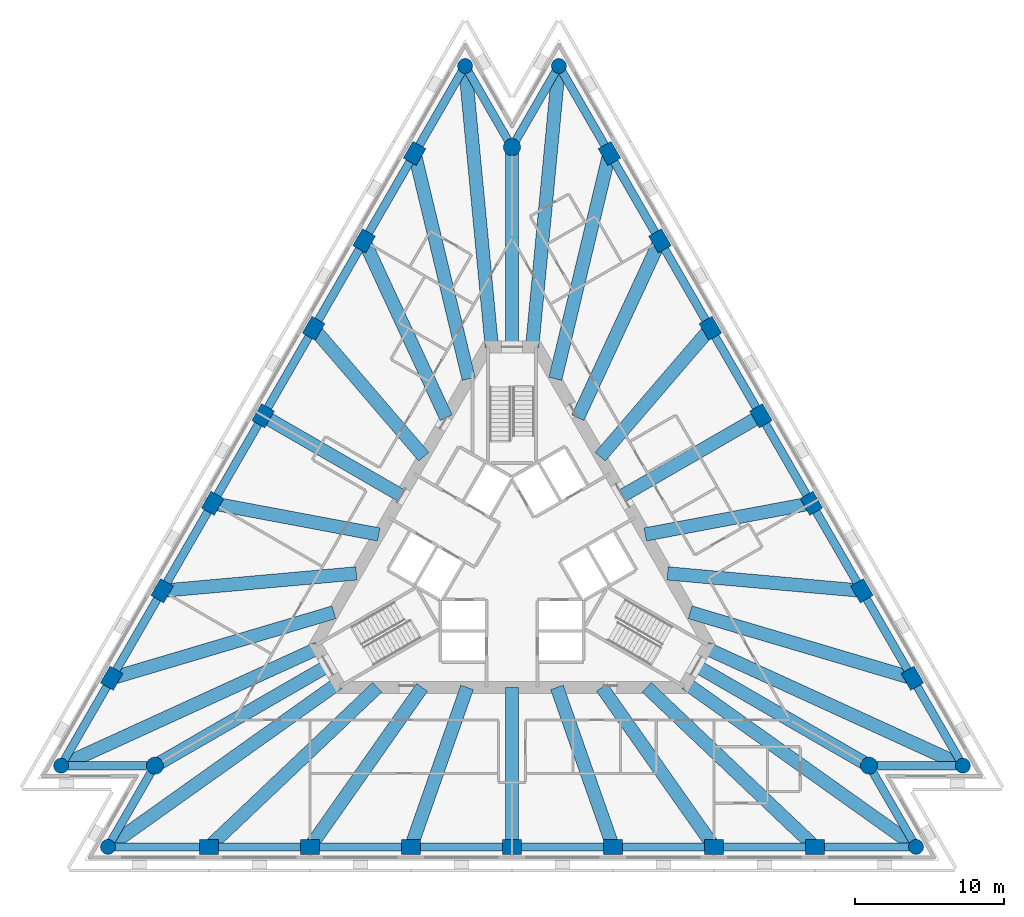
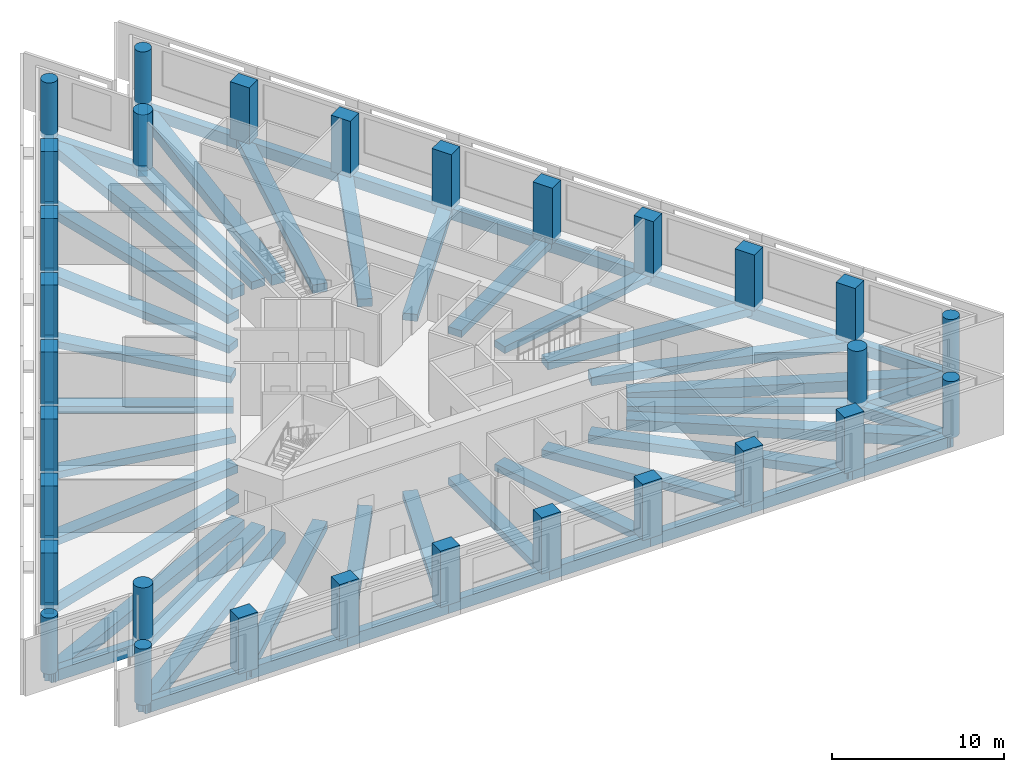
# One storey, part 1 of 9: 60 beams, 30 columns.
"""IFC4 building model written with IfcOpenShell, lengths in metres."""

import ifcopenshell
import ifcopenshell.guid

model = None  # the IFC model being written
_history = None  # IfcOwnerHistory: only IFC2X3 demands one
_inside = {}  # id of a spatial element -> (the spatial element, [elements in it])
_under = {}  # id of a project, library or spatial element -> (it, [spatial elements below it])
_declared = {}  # id of a project -> (the project, [libraries it declares])
_typed = {}  # id of a type object -> (the type object, [elements of that type])
_made_of = {}  # id of a material, layer set ... -> (it, [elements and type objects made of it])


def new_model(schema):
    """Start an empty IFC model of exactly this schema.

    Asked for "IFC4X3", IfcOpenShell would pick the latest addendum, in which some entities
    have other attributes; the version numbers below select the first issue.
    IFC2X3 requires an IfcOwnerHistory on every rooted entity: one is made here for all.
    """
    global model, _history
    if schema == "IFC4X3":
        model = ifcopenshell.file(schema_version=(4, 3, 0, 0))
    else:
        model = ifcopenshell.file(schema=schema)
    _inside.clear()
    _under.clear()
    _declared.clear()
    _typed.clear()
    _made_of.clear()
    _history = None
    if model.schema == "IFC2X3":
        org = make("IfcOrganization", Name="unknown")
        user = make(
            "IfcPersonAndOrganization",
            ThePerson=make("IfcPerson", FamilyName="unknown"),
            TheOrganization=org,
        )
        app = make(
            "IfcApplication",
            ApplicationDeveloper=org,
            Version="unknown",
            ApplicationFullName="unknown",
            ApplicationIdentifier="unknown",
        )
        _history = make(
            "IfcOwnerHistory",
            OwningUser=user,
            OwningApplication=app,
            ChangeAction="ADDED",
            CreationDate=0,
        )
    return model


def make(cls, **values):
    """One entity of the class cls with the attributes given. An attribute that is None is left unset."""
    return model.create_entity(
        cls, **{name: value for name, value in values.items() if value is not None}
    )


def rooted(cls, **values):
    """An entity with a GlobalId (a new one), such as an element, a storey or a relation."""
    return make(cls, GlobalId=ifcopenshell.guid.new(), OwnerHistory=_history, **values)


def si_unit(unit_type, name, prefix=None):
    """IfcSIUnit, for example si_unit("LENGTHUNIT", "METRE", prefix="MILLI")."""
    return make("IfcSIUnit", UnitType=unit_type, Prefix=prefix, Name=name)


def assignment(units):
    """IfcUnitAssignment: the units of a project."""
    return None if units is None else make("IfcUnitAssignment", Units=units)


def point(xyz):
    """IfcCartesianPoint."""
    return None if xyz is None else make("IfcCartesianPoint", Coordinates=xyz)


def direction(xyz):
    """IfcDirection."""
    return None if xyz is None else make("IfcDirection", DirectionRatios=xyz)


def frame(location, z_axis=None, x_axis=None):
    """IfcAxis2Placement3D, a coordinate frame: its origin and axes. An axis left out is left unset."""
    return make(
        "IfcAxis2Placement3D",
        Location=point(location),
        Axis=direction(z_axis),
        RefDirection=direction(x_axis),
    )


def frame_2d(location, x_axis=None):
    """IfcAxis2Placement2D, a coordinate frame in the plane: its origin and x axis."""
    return make(
        "IfcAxis2Placement2D", Location=point(location), RefDirection=direction(x_axis)
    )


def origin():
    """The frame at (0, 0, 0) with its axes left unset."""
    return frame((0.0, 0.0, 0.0))


def origin_2d():
    """The frame at (0, 0) in the plane with its x axis left unset."""
    return frame_2d((0.0, 0.0))


def place(relative_to, where):
    """IfcLocalPlacement: puts the frame where relative to a parent placement (None: the world)."""
    return make(
        "IfcLocalPlacement", PlacementRelTo=relative_to, RelativePlacement=where
    )


def context(
    kind, dimensions, precision=None, world=None, true_north=None, identifier=None
):
    """IfcGeometricRepresentationContext, for example the 3D "Model" context."""
    return make(
        "IfcGeometricRepresentationContext",
        ContextIdentifier=identifier,
        ContextType=kind,
        CoordinateSpaceDimension=dimensions,
        Precision=precision,
        WorldCoordinateSystem=world,
        TrueNorth=true_north,
    )


def subcontext(parent, identifier, kind, view, scale=None):
    """IfcGeometricRepresentationSubContext, for example "Body" below "Model"."""
    return make(
        "IfcGeometricRepresentationSubContext",
        ContextIdentifier=identifier,
        ContextType=kind,
        ParentContext=parent,
        TargetScale=scale,
        TargetView=view,
    )


def project(units=None, contexts=None):
    """IfcProject with its units and contexts."""
    return rooted(
        "IfcProject",
        Name="project",
        RepresentationContexts=contexts,
        UnitsInContext=assignment(units),
    )


def spatial(cls, under=None, at=None, **own):
    """A site, building, storey or space (cls), placed at a placement, below another one or the project."""
    s = rooted(cls, ObjectPlacement=at, **own)
    if under is not None:
        _under.setdefault(under.id(), (under, []))[1].append(s)
    return s


def profile(cls, at=None, kind="AREA", **sizes):
    """A parametric profile (cls). Its sizes go by their IFC names, for example OverallWidth=200.0."""
    return make(cls, ProfileType=kind, Position=at, **sizes)


def rectangle(**sizes):
    """IfcRectangleProfileDef."""
    return profile("IfcRectangleProfileDef", **sizes)


def circle(**sizes):
    """IfcCircleProfileDef."""
    return profile("IfcCircleProfileDef", **sizes)


def extrude(swept, where, along, depth):
    """IfcExtrudedAreaSolid: the profile swept, set in the frame where, extruded along a direction by depth."""
    return make(
        "IfcExtrudedAreaSolid",
        SweptArea=swept,
        Position=where,
        ExtrudedDirection=direction(along),
        Depth=depth,
    )


def shape(context_of_items, identifier, shape_type, items):
    """IfcShapeRepresentation: the items that make up one representation, for example the "Body"."""
    return make(
        "IfcShapeRepresentation",
        ContextOfItems=context_of_items,
        RepresentationIdentifier=identifier,
        RepresentationType=shape_type,
        Items=items,
    )


def material(Name=None, Category=None):
    """IfcMaterial."""
    return make("IfcMaterial", Name=Name, Category=Category)


def material_profile(
    of_material, cross_section, Name=None, Category=None, Priority=None
):
    """IfcMaterialProfile: a cross section and its material."""
    return make(
        "IfcMaterialProfile",
        Name=Name,
        Material=of_material,
        Profile=cross_section,
        Priority=Priority,
        Category=Category,
    )


def profile_set(profiles, Name=None, composite=None):
    """IfcMaterialProfileSet."""
    return make(
        "IfcMaterialProfileSet",
        Name=Name,
        MaterialProfiles=profiles,
        CompositeProfile=composite,
    )


def made_of(thing, what):
    """Note that an element or type object is made of a material, layer set ...; save() writes the relation."""
    if what is not None:
        _made_of.setdefault(what.id(), (what, []))[1].append(thing)
    return thing


def type_object(cls, material=None, **own):
    """A type object (cls), such as IfcWallType, which elements share."""
    return made_of(rooted(cls, **own), material)


def element(
    cls,
    number,
    at=None,
    inside=None,
    cuts=None,
    type_object=None,
    material=None,
    context=None,
    identifier="Body",
    shape_type=None,
    held_by="IfcProductDefinitionShape",
    body=None,
    shapes=None,
    **own,
):
    """One element of the class cls, such as IfcWall. Its Tag is "e" and its number.

    at: its placement. inside: the storey or other place that contains it. cuts: it is an
    opening in that element (IfcRelVoidsElement). A single representation is given by context,
    identifier, shape_type and body (its items); several are given by shapes. held_by: the class
    of the entity that holds the representations. save() writes the other relations.
    """
    e = rooted(cls, Tag="e%d" % number, ObjectPlacement=at, **own)
    if body is not None:
        shapes = [shape(context, identifier, shape_type, body)]
    if shapes is not None:
        e.Representation = make(held_by, Representations=shapes)
    if inside is not None:
        _inside.setdefault(inside.id(), (inside, []))[1].append(e)
    if cuts is not None:
        rooted(
            "IfcRelVoidsElement", RelatingBuildingElement=cuts, RelatedOpeningElement=e
        )
    if type_object is not None:
        _typed.setdefault(type_object.id(), (type_object, []))[1].append(e)
    return made_of(e, material)


def aggregate(whole, parts):
    """IfcRelAggregates: a whole, such as a stair, and the parts it consists of."""
    return rooted("IfcRelAggregates", RelatingObject=whole, RelatedObjects=parts)


def save(model, path):
    """Write the relations noted so far, then the file.

    IfcRelAggregates (storeys below a building ...), IfcRelContainedInSpatialStructure (elements
    in a storey), IfcRelDefinesByType, IfcRelAssociatesMaterial and IfcRelDeclares: one each for
    every whole, place, type object, material and project.
    """
    for whole, parts in _under.values():
        aggregate(whole, parts)
    for where, things in _inside.values():
        rooted(
            "IfcRelContainedInSpatialStructure",
            RelatedElements=things,
            RelatingStructure=where,
        )
    for kind, things in _typed.values():
        rooted("IfcRelDefinesByType", RelatedObjects=things, RelatingType=kind)
    for what, things in _made_of.values():
        rooted("IfcRelAssociatesMaterial", RelatedObjects=things, RelatingMaterial=what)
    for by, libraries in _declared.values():
        rooted("IfcRelDeclares", RelatingContext=by, RelatedDefinitions=libraries)
    model.write(path)


model = new_model("IFC4")

# Units and contexts
model_context = context("Model", 3, precision=1e-05, world=origin(), true_north=direction((0.0, 1.0)))
body_context = subcontext(model_context, "Body", "Model", "MODEL_VIEW")
ifc_project = project(units=[si_unit("LENGTHUNIT", "METRE"), si_unit("AREAUNIT", "SQUARE_METRE"), si_unit("VOLUMEUNIT", "CUBIC_METRE"), si_unit("PLANEANGLEUNIT", "RADIAN"), si_unit("MASSUNIT", "GRAM", prefix="KILO")], contexts=[model_context])

# Site, building, storey
site_placement = place(None, origin())
site = spatial("IfcSite", under=ifc_project, at=site_placement, CompositionType="ELEMENT")
building_placement = place(site_placement, origin())
building = spatial("IfcBuilding", under=site, at=building_placement, Name="Triada Interchange Tower", CompositionType="ELEMENT")
storey_placement = place(building_placement, frame((0.0, 0.0, 132.300048828125)))
storey = spatial("IfcBuildingStorey", under=building, at=storey_placement, Name="L30", CompositionType="ELEMENT", Elevation=132.300048828125)

# Columns
ifc_material_1 = material(Name="Concrete C60/75", Category="concrete")
ifc_material_profile_1 = material_profile(ifc_material_1, rectangle(XDim=1.300048828125, YDim=1.0, at=origin_2d()), Name="RC 1300x1000")
ifc_profile_set_1 = profile_set([ifc_material_profile_1], Name="Concrete C60/75")
column_type_1 = type_object("IfcColumnType", Name="Column B face RC 1300x1000", PredefinedType="COLUMN", material=ifc_profile_set_1)
for number, where, z_axis, x_axis, name in (
    (1, (-6.551025390625, 27.31689453125, -0.300048828125), (0.0, 0.0, 1.0), (0.5, 0.866025403784, 0.0), "Column CB02 L30"),
    (2, (-9.947998046875, 21.43408203125, -0.300048828125), (0.0, 0.0, 1.0), (0.5, 0.866025403784, 0.0), "Column CB03 L30"),
    (3, (-13.344970703125, 15.550048828125, -0.300048828125), (0.0, 0.0, 1.0), (0.5, 0.866025403784, 0.0), "Column CB04 L30"),
    (4, (-16.741943359375, 9.666015625, -0.300048828125), (0.0, 0.0, 1.0), (0.5, 0.866025403784, 0.0), "Column CB05 L30"),
    (5, (-20.138916015625, 3.781982421875, -0.300048828125), (0.0, 0.0, 1.0), (0.5, 0.866025403784, 0.0), "Column CB06 L30"),
    (6, (-23.535888671875, -2.10205078125, -0.300048828125), (0.0, 0.0, 1.0), (0.5, 0.866025403784, 0.0), "Column CB07 L30"),
    (7, (-26.93310546875, -7.985107421875, -0.300048828125), (0.0, 0.0, 1.0), (0.5, 0.866025403784, 0.0), "Column CB08 L30"),
    (8, (-20.382080078125, -19.33203125, -0.300048828125), (0.0, 0.0, 1.0), (1.0, 0.0, 0.0), "Column CB11 L30"),
    (9, (-13.587890625, -19.33203125, -0.300048828125), (0.0, 0.0, 1.0), (1.0, 0.0, 0.0), "Column CB12 L30"),
    (10, (-6.7939453125, -19.33203125, -0.300048828125), (0.0, 0.0, 1.0), (1.0, 0.0, 0.0), "Column CB13 L30"),
    (11, (0.0, -19.33203125, -0.300048828125), (0.0, 0.0, 1.0), (1.0, 0.0, 0.0), "Column CB14 L30"),
    (12, (6.7939453125, -19.33203125, -0.300048828125), (0.0, 0.0, 1.0), (1.0, 0.0, 0.0), "Column CB15 L30"),
    (13, (13.587890625, -19.33203125, -0.300048828125), (0.0, 0.0, 1.0), (1.0, 0.0, 0.0), "Column CB16 L30"),
    (14, (20.382080078125, -19.33203125, -0.300048828125), (0.0, 0.0, 1.0), (1.0, 0.0, 0.0), "Column CB17 L30"),
    (15, (26.93310546875, -7.985107421875, -0.300048828125), (0.0, 0.0, 1.0), (-0.5, 0.866025403784, 0.0), "Column CB20 L30"),
    (16, (23.535888671875, -2.10107421875, -0.300048828125), (0.0, 0.0, 1.0), (-0.5, 0.866025403784, 0.0), "Column CB21 L30"),
    (17, (20.138916015625, 3.781982421875, -0.300048828125), (0.0, 0.0, 1.0), (-0.5, 0.866025403784, 0.0), "Column CB22 L30"),
    (18, (16.741943359375, 9.666015625, -0.300048828125), (0.0, 0.0, 1.0), (-0.5, 0.866025403784, 0.0), "Column CB23 L30"),
    (19, (13.344970703125, 15.550048828125, -0.300048828125), (0.0, 0.0, 1.0), (-0.5, 0.866025403784, 0.0), "Column CB24 L30"),
    (20, (9.947998046875, 21.43408203125, -0.300048828125), (0.0, 0.0, 1.0), (-0.5, 0.866025403784, 0.0), "Column CB25 L30"),
    (21, (6.551025390625, 27.31689453125, -0.300048828125), (0.0, 0.0, 1.0), (-0.5, 0.866025403784, 0.0), "Column CB26 L30"),
):
    element("IfcColumn", number, at=place(storey_placement, frame(where, z_axis=z_axis, x_axis=x_axis)), inside=storey, type_object=column_type_1, Name=name, PredefinedType="COLUMN", context=body_context, shape_type="SweptSolid", body=[
        extrude(rectangle(XDim=1.300048828125, YDim=1.0, at=origin_2d()), origin(), (0.0, 0.0, 1.0), 4.0),
    ])
ifc_material_profile_2 = material_profile(ifc_material_1, circle(Radius=0.5, at=origin_2d()), Name="RC D1000")
ifc_profile_set_2 = profile_set([ifc_material_profile_2], Name="Concrete C60/75")
column_type_2 = type_object("IfcColumnType", Name="End column B RC D1000", PredefinedType="COLUMN", material=ifc_profile_set_2)
for number, where, z_axis, x_axis, name in (
    (22, (-3.154052734375, 33.200927734375, -0.300048828125), (0.0, 0.0, 1.0), (0.5, 0.866025403784, 0.0), "Column CB01 L30"),
    (23, (-30.330078125, -13.868896484375, -0.300048828125), (0.0, 0.0, 1.0), (0.5, 0.866025403784, 0.0), "Column CB09 L30"),
    (24, (-27.176025390625, -19.33203125, -0.300048828125), (0.0, 0.0, 1.0), (1.0, 0.0, 0.0), "Column CB10 L30"),
    (25, (27.176025390625, -19.33203125, -0.300048828125), (0.0, 0.0, 1.0), (1.0, 0.0, 0.0), "Column CB18 L30"),
    (26, (30.330078125, -13.868896484375, -0.300048828125), (0.0, 0.0, 1.0), (-0.5, 0.866025403784, 0.0), "Column CB19 L30"),
    (27, (3.154052734375, 33.200927734375, -0.300048828125), (0.0, 0.0, 1.0), (-0.5, 0.866025403784, 0.0), "Column CB27 L30"),
):
    element("IfcColumn", number, at=place(storey_placement, frame(where, z_axis=z_axis, x_axis=x_axis)), inside=storey, type_object=column_type_2, Name=name, PredefinedType="COLUMN", context=body_context, shape_type="SweptSolid", body=[
        extrude(circle(Radius=0.5, at=origin_2d()), origin(), (0.0, 0.0, 1.0), 4.0),
    ])
ifc_material_profile_3 = material_profile(ifc_material_1, circle(Radius=0.574951171875, at=origin_2d()), Name="RC D1150")
ifc_profile_set_3 = profile_set([ifc_material_profile_3], Name="Concrete C60/75")
column_type_3 = type_object("IfcColumnType", Name="Mega column B RC D1150", PredefinedType="COLUMN", material=ifc_profile_set_3)
for number, where, z_axis, x_axis, name in (
    (28, (0.0, 27.739013671875, -0.300048828125), (0.0, 0.0, 1.0), (1.0, 0.0, 0.0), "Column MB1 L30"),
    (29, (-24.02197265625, -13.868896484375, -0.300048828125), (0.0, 0.0, 1.0), (1.0, 0.0, 0.0), "Column MB2 L30"),
    (30, (24.02197265625, -13.868896484375, -0.300048828125), (0.0, 0.0, 1.0), (1.0, 0.0, 0.0), "Column MB3 L30"),
):
    element("IfcColumn", number, at=place(storey_placement, frame(where, z_axis=z_axis, x_axis=x_axis)), inside=storey, type_object=column_type_3, Name=name, PredefinedType="COLUMN", context=body_context, shape_type="SweptSolid", body=[
        extrude(circle(Radius=0.574951171875, at=origin_2d()), origin(), (0.0, 0.0, 1.0), 4.0),
    ])

# Beams
ifc_material_2 = material(Name="Concrete C50/60", Category="concrete")
ifc_material_profile_4 = material_profile(ifc_material_2, rectangle(XDim=0.89990234375, YDim=0.5, at=origin_2d()), Name="RC 900x500")
ifc_profile_set_4 = profile_set([ifc_material_profile_4], Name="Concrete C50/60")
beam_type_1 = type_object("IfcBeamType", Name="Radial band beam B RC 900x500", PredefinedType="BEAM", material=ifc_profile_set_4)
beam_1_placement = place(storey_placement, frame((-13.344970703125, 15.550048828125, -0.550048828125), z_axis=(0.651256056595, -0.758858055731, 0.0), x_axis=(0.758858055731, 0.651256056595, 0.0)))
element("IfcBeam", 31, at=beam_1_placement, inside=storey, type_object=beam_type_1, Name="Radial band beam BB04 L30", PredefinedType="BEAM", context=body_context, shape_type="SweptSolid", body=[
    extrude(rectangle(XDim=0.89990234375, YDim=0.5, at=origin_2d()), origin(), (0.0, 0.0, 1.0), 11.37646484375),
])
beam_2_placement = place(storey_placement, frame((-16.741943359375, 9.666015625, -0.550048828125), z_axis=(0.866021168401, -0.500007335828, 0.0), x_axis=(0.500007335828, 0.866021168401, 0.0)))
element("IfcBeam", 32, at=beam_2_placement, inside=storey, type_object=beam_type_1, Name="Radial band beam BB05 L30", PredefinedType="BEAM", context=body_context, shape_type="SweptSolid", body=[
    extrude(rectangle(XDim=0.89990234375, YDim=0.5, at=origin_2d()), origin(), (0.0, 0.0, 1.0), 10.731689453125),
])
for number, where, z_axis, x_axis, name in (
    (33, (-20.138916015625, 3.781982421875, -0.550048828125), (0.982810661769, -0.184616367404, 0.0), (0.184616367404, 0.982810661769, 0.0), "Radial band beam BB06 L30"),
    (34, (-6.7939453125, -19.33203125, -0.550048828125), (0.331587190824, 0.943424578269, 0.0), (-0.943424578269, 0.331587190824, 0.0), "Radial band beam BB14 L30"),
):
    element("IfcBeam", number, at=place(storey_placement, frame(where, z_axis=z_axis, x_axis=x_axis)), inside=storey, type_object=beam_type_1, Name=name, PredefinedType="BEAM", context=body_context, shape_type="SweptSolid", body=[
        extrude(rectangle(XDim=0.89990234375, YDim=0.5, at=origin_2d()), origin(), (0.0, 0.0, 1.0), 11.37548828125),
    ])
beam_3_placement = place(storey_placement, frame((0.0, -19.33203125, -0.550048828125), z_axis=(0.0, 1.0, 0.0), x_axis=(-1.0, 0.0, 0.0)))
element("IfcBeam", 35, at=beam_3_placement, inside=storey, type_object=beam_type_1, Name="Radial band beam BB15 L30", PredefinedType="BEAM", context=body_context, shape_type="SweptSolid", body=[
    extrude(rectangle(XDim=0.89990234375, YDim=0.5, at=origin_2d()), origin(), (0.0, 0.0, 1.0), 10.73193359375),
])
for number, where, z_axis, x_axis, name in (
    (36, (6.7939453125, -19.33203125, -0.550048828125), (-0.331587190824, 0.943424578269, 0.0), (-0.943424578269, -0.331587190824, 0.0), "Radial band beam BB16 L30"),
    (37, (20.138916015625, 3.781982421875, -0.550048828125), (-0.982810661769, -0.184616367404, 0.0), (0.184616367404, -0.982810661769, 0.0), "Radial band beam BB24 L30"),
):
    element("IfcBeam", number, at=place(storey_placement, frame(where, z_axis=z_axis, x_axis=x_axis)), inside=storey, type_object=beam_type_1, Name=name, PredefinedType="BEAM", context=body_context, shape_type="SweptSolid", body=[
        extrude(rectangle(XDim=0.89990234375, YDim=0.5, at=origin_2d()), origin(), (0.0, 0.0, 1.0), 11.37548828125),
    ])
beam_4_placement = place(storey_placement, frame((16.741943359375, 9.666015625, -0.550048828125), z_axis=(-0.866021168401, -0.500007335828, 0.0), x_axis=(0.500007335828, -0.866021168401, 0.0)))
element("IfcBeam", 38, at=beam_4_placement, inside=storey, type_object=beam_type_1, Name="Radial band beam BB25 L30", PredefinedType="BEAM", context=body_context, shape_type="SweptSolid", body=[
    extrude(rectangle(XDim=0.89990234375, YDim=0.5, at=origin_2d()), origin(), (0.0, 0.0, 1.0), 10.731689453125),
])
beam_5_placement = place(storey_placement, frame((13.344970703125, 15.550048828125, -0.550048828125), z_axis=(-0.651256056595, -0.758858055731, 0.0), x_axis=(0.758858055731, -0.651256056595, 0.0)))
element("IfcBeam", 39, at=beam_5_placement, inside=storey, type_object=beam_type_1, Name="Radial band beam BB26 L30", PredefinedType="BEAM", context=body_context, shape_type="SweptSolid", body=[
    extrude(rectangle(XDim=0.89990234375, YDim=0.5, at=origin_2d()), origin(), (0.0, 0.0, 1.0), 11.37646484375),
])
ifc_material_profile_5 = material_profile(ifc_material_2, rectangle(XDim=0.89990234375, YDim=0.550048828125, at=origin_2d()), Name="RC 900x550")
ifc_profile_set_5 = profile_set([ifc_material_profile_5], Name="Concrete C50/60")
beam_type_2 = type_object("IfcBeamType", Name="Radial band beam B RC 900x550", PredefinedType="BEAM", material=ifc_profile_set_5)
beam_6_placement = place(storey_placement, frame((-9.947998046875, 21.43408203125, -0.574951171875), z_axis=(0.421006866112, -0.907057450599, 0.0), x_axis=(0.907057450599, 0.421006866112, 0.0)))
element("IfcBeam", 40, at=beam_6_placement, inside=storey, type_object=beam_type_2, Name="Radial band beam BB03 L30", PredefinedType="BEAM", context=body_context, shape_type="SweptSolid", body=[
    extrude(rectangle(XDim=0.89990234375, YDim=0.550048828125, at=origin_2d()), origin(), (0.0, 0.0, 1.0), 13.118408203125),
])
beam_7_placement = place(storey_placement, frame((-23.535888671875, -2.10205078125, -0.574951171875), z_axis=(0.996035055379, 0.088961612256, 0.0), x_axis=(-0.088961612256, 0.996035055379, 0.0)))
element("IfcBeam", 41, at=beam_7_placement, inside=storey, type_object=beam_type_2, Name="Radial band beam BB07 L30", PredefinedType="BEAM", context=body_context, shape_type="SweptSolid", body=[
    extrude(rectangle(XDim=0.89990234375, YDim=0.550048828125, at=origin_2d()), origin(), (0.0, 0.0, 1.0), 13.117919921875),
])
beam_8_placement = place(storey_placement, frame((-24.02197265625, -13.868896484375, -0.574951171875), z_axis=(0.866030989016, 0.499990325971, 0.0), x_axis=(-0.499990325971, 0.866030989016, 0.0)))
element("IfcBeam", 42, at=beam_8_placement, inside=storey, type_object=beam_type_2, Name="Radial band beam BB10 L30", PredefinedType="BEAM", context=body_context, shape_type="SweptSolid", body=[
    extrude(rectangle(XDim=0.89990234375, YDim=0.550048828125, at=origin_2d()), origin(), (0.0, 0.0, 1.0), 13.438232421875),
])
for number, where, z_axis, x_axis, name in (
    (43, (-13.587890625, -19.33203125, -0.574951171875), (0.575027678411, 0.81813395545, 0.0), (-0.81813395545, 0.575027678411, 0.0), "Radial band beam BB13 L30"),
    (44, (13.587890625, -19.33203125, -0.574951171875), (-0.575027678411, 0.81813395545, 0.0), (-0.81813395545, -0.575027678411, 0.0), "Radial band beam BB17 L30"),
):
    element("IfcBeam", number, at=place(storey_placement, frame(where, z_axis=z_axis, x_axis=x_axis)), inside=storey, type_object=beam_type_2, Name=name, PredefinedType="BEAM", context=body_context, shape_type="SweptSolid", body=[
        extrude(rectangle(XDim=0.89990234375, YDim=0.550048828125, at=origin_2d()), origin(), (0.0, 0.0, 1.0), 13.11767578125),
    ])
beam_9_placement = place(storey_placement, frame((24.02197265625, -13.868896484375, -0.574951171875), z_axis=(-0.866030989016, 0.499990325971, 0.0), x_axis=(-0.499990325971, -0.866030989016, 0.0)))
element("IfcBeam", 45, at=beam_9_placement, inside=storey, type_object=beam_type_2, Name="Radial band beam BB20 L30", PredefinedType="BEAM", context=body_context, shape_type="SweptSolid", body=[
    extrude(rectangle(XDim=0.89990234375, YDim=0.550048828125, at=origin_2d()), origin(), (0.0, 0.0, 1.0), 13.438232421875),
])
beam_10_placement = place(storey_placement, frame((23.535888671875, -2.10107421875, -0.574951171875), z_axis=(-0.996041649161, 0.088887755828, 0.0), x_axis=(-0.088887755828, -0.996041649161, 0.0)))
element("IfcBeam", 46, at=beam_10_placement, inside=storey, type_object=beam_type_2, Name="Radial band beam BB23 L30", PredefinedType="BEAM", context=body_context, shape_type="SweptSolid", body=[
    extrude(rectangle(XDim=0.89990234375, YDim=0.550048828125, at=origin_2d()), origin(), (0.0, 0.0, 1.0), 13.117919921875),
])
beam_11_placement = place(storey_placement, frame((9.947998046875, 21.43408203125, -0.574951171875), z_axis=(-0.421006866112, -0.907057450599, 0.0), x_axis=(0.907057450599, -0.421006866112, 0.0)))
element("IfcBeam", 47, at=beam_11_placement, inside=storey, type_object=beam_type_2, Name="Radial band beam BB27 L30", PredefinedType="BEAM", context=body_context, shape_type="SweptSolid", body=[
    extrude(rectangle(XDim=0.89990234375, YDim=0.550048828125, at=origin_2d()), origin(), (0.0, 0.0, 1.0), 13.118408203125),
])
beam_12_placement = place(storey_placement, frame((0.0, 27.739013671875, -0.574951171875), z_axis=(0.0, -1.0, 0.0), x_axis=(1.0, 0.0, 0.0)))
element("IfcBeam", 48, at=beam_12_placement, inside=storey, type_object=beam_type_2, Name="Radial band beam BB30 L30", PredefinedType="BEAM", context=body_context, shape_type="SweptSolid", body=[
    extrude(rectangle(XDim=0.89990234375, YDim=0.550048828125, at=origin_2d()), origin(), (0.0, 0.0, 1.0), 13.43896484375),
])
ifc_material_profile_6 = material_profile(ifc_material_2, rectangle(XDim=0.89990234375, YDim=0.60009765625, at=origin_2d()), Name="RC 900x600")
ifc_profile_set_6 = profile_set([ifc_material_profile_6], Name="Concrete C50/60")
beam_type_3 = type_object("IfcBeamType", Name="Radial band beam B RC 900x600", PredefinedType="BEAM", material=ifc_profile_set_6)
beam_13_placement = place(storey_placement, frame((-6.551025390625, 27.31689453125, -0.60009765625), z_axis=(0.23321604182, -0.972424947149, 0.0), x_axis=(0.972424947149, 0.23321604182, 0.0)))
element("IfcBeam", 49, at=beam_13_placement, inside=storey, type_object=beam_type_3, Name="Radial band beam BB02 L30", PredefinedType="BEAM", context=body_context, shape_type="SweptSolid", body=[
    extrude(rectangle(XDim=0.89990234375, YDim=0.60009765625, at=origin_2d()), origin(), (0.0, 0.0, 1.0), 15.5947265625),
])
beam_14_placement = place(storey_placement, frame((-26.93310546875, -7.985107421875, -0.60009765625), z_axis=(0.958748508844, 0.284255689106, 0.0), x_axis=(-0.284255689106, 0.958748508844, 0.0)))
element("IfcBeam", 50, at=beam_14_placement, inside=storey, type_object=beam_type_3, Name="Radial band beam BB08 L30", PredefinedType="BEAM", context=body_context, shape_type="SweptSolid", body=[
    extrude(rectangle(XDim=0.89990234375, YDim=0.60009765625, at=origin_2d()), origin(), (0.0, 0.0, 1.0), 15.595458984375),
])
for number, where, z_axis, x_axis, name in (
    (51, (-20.382080078125, -19.33203125, -0.60009765625), (0.725559294955, 0.68815965408, 0.0), (-0.68815965408, 0.725559294955, 0.0), "Radial band beam BB12 L30"),
    (52, (20.382080078125, -19.33203125, -0.60009765625), (-0.725559294955, 0.68815965408, 0.0), (-0.68815965408, -0.725559294955, 0.0), "Radial band beam BB18 L30"),
):
    element("IfcBeam", number, at=place(storey_placement, frame(where, z_axis=z_axis, x_axis=x_axis)), inside=storey, type_object=beam_type_3, Name=name, PredefinedType="BEAM", context=body_context, shape_type="SweptSolid", body=[
        extrude(rectangle(XDim=0.89990234375, YDim=0.60009765625, at=origin_2d()), origin(), (0.0, 0.0, 1.0), 15.59521484375),
    ])
beam_15_placement = place(storey_placement, frame((26.93310546875, -7.985107421875, -0.60009765625), z_axis=(-0.958748508844, 0.284255689106, 0.0), x_axis=(-0.284255689106, -0.958748508844, 0.0)))
element("IfcBeam", 53, at=beam_15_placement, inside=storey, type_object=beam_type_3, Name="Radial band beam BB22 L30", PredefinedType="BEAM", context=body_context, shape_type="SweptSolid", body=[
    extrude(rectangle(XDim=0.89990234375, YDim=0.60009765625, at=origin_2d()), origin(), (0.0, 0.0, 1.0), 15.595458984375),
])
beam_16_placement = place(storey_placement, frame((6.551025390625, 27.31689453125, -0.60009765625), z_axis=(-0.23321604182, -0.972424947149, 0.0), x_axis=(0.972424947149, -0.23321604182, 0.0)))
element("IfcBeam", 54, at=beam_16_placement, inside=storey, type_object=beam_type_3, Name="Radial band beam BB28 L30", PredefinedType="BEAM", context=body_context, shape_type="SweptSolid", body=[
    extrude(rectangle(XDim=0.89990234375, YDim=0.60009765625, at=origin_2d()), origin(), (0.0, 0.0, 1.0), 15.5947265625),
])
ifc_material_profile_7 = material_profile(ifc_material_2, rectangle(XDim=0.89990234375, YDim=0.75, at=origin_2d()), Name="RC 900x750")
ifc_profile_set_7 = profile_set([ifc_material_profile_7], Name="Concrete C50/60")
beam_type_4 = type_object("IfcBeamType", Name="Radial band beam B RC 900x750", PredefinedType="BEAM", material=ifc_profile_set_7)
beam_17_placement = place(storey_placement, frame((-3.154052734375, 33.200927734375, -0.675048828125), z_axis=(0.094603376124, -0.995515043194, 0.0), x_axis=(0.995515043194, 0.094603376124, 0.0)))
element("IfcBeam", 55, at=beam_17_placement, inside=storey, type_object=beam_type_4, Name="Radial band beam BB01 L30", PredefinedType="BEAM", context=body_context, shape_type="SweptSolid", body=[
    extrude(rectangle(XDim=0.89990234375, YDim=0.75, at=origin_2d()), origin(), (0.0, 0.0, 1.0), 18.986083984375),
])
beam_18_placement = place(storey_placement, frame((-30.330078125, -13.868896484375, -0.675048828125), z_axis=(0.909425292893, 0.415867330582, 0.0), x_axis=(-0.415867330582, 0.909425292893, 0.0)))
element("IfcBeam", 56, at=beam_18_placement, inside=storey, type_object=beam_type_4, Name="Radial band beam BB09 L30", PredefinedType="BEAM", context=body_context, shape_type="SweptSolid", body=[
    extrude(rectangle(XDim=0.89990234375, YDim=0.75, at=origin_2d()), origin(), (0.0, 0.0, 1.0), 18.98681640625),
])
for number, where, z_axis, x_axis, name in (
    (57, (-27.176025390625, -19.33203125, -0.675048828125), (0.814842351671, 0.579682621719, 0.0), (-0.579682621719, 0.814842351671, 0.0), "Radial band beam BB11 L30"),
    (58, (27.176025390625, -19.33203125, -0.675048828125), (-0.814842351671, 0.579682621719, 0.0), (-0.579682621719, -0.814842351671, 0.0), "Radial band beam BB19 L30"),
):
    element("IfcBeam", number, at=place(storey_placement, frame(where, z_axis=z_axis, x_axis=x_axis)), inside=storey, type_object=beam_type_4, Name=name, PredefinedType="BEAM", context=body_context, shape_type="SweptSolid", body=[
        extrude(rectangle(XDim=0.89990234375, YDim=0.75, at=origin_2d()), origin(), (0.0, 0.0, 1.0), 18.986328125),
    ])
beam_19_placement = place(storey_placement, frame((30.330078125, -13.868896484375, -0.675048828125), z_axis=(-0.909425292893, 0.415867330582, 0.0), x_axis=(-0.415867330582, -0.909425292893, 0.0)))
element("IfcBeam", 59, at=beam_19_placement, inside=storey, type_object=beam_type_4, Name="Radial band beam BB21 L30", PredefinedType="BEAM", context=body_context, shape_type="SweptSolid", body=[
    extrude(rectangle(XDim=0.89990234375, YDim=0.75, at=origin_2d()), origin(), (0.0, 0.0, 1.0), 18.98681640625),
])
beam_20_placement = place(storey_placement, frame((3.154052734375, 33.200927734375, -0.675048828125), z_axis=(-0.094603376124, -0.995515043194, 0.0), x_axis=(0.995515043194, -0.094603376124, 0.0)))
element("IfcBeam", 60, at=beam_20_placement, inside=storey, type_object=beam_type_4, Name="Radial band beam BB29 L30", PredefinedType="BEAM", context=body_context, shape_type="SweptSolid", body=[
    extrude(rectangle(XDim=0.89990234375, YDim=0.75, at=origin_2d()), origin(), (0.0, 0.0, 1.0), 18.986083984375),
])
ifc_material_profile_8 = material_profile(ifc_material_2, rectangle(XDim=0.550048828125, YDim=0.800048828125, at=origin_2d()), Name="RC 550x800")
ifc_profile_set_8 = profile_set([ifc_material_profile_8], Name="Concrete C50/60")
beam_type_5 = type_object("IfcBeamType", Name="Spandrel beam B RC 550x800", PredefinedType="BEAM", material=ifc_profile_set_8)
beam_21_placement = place(storey_placement, frame((-3.154052734375, 33.200927734375, -0.699951171875), z_axis=(-0.499980627034, -0.866036588483, 0.0), x_axis=(0.866036588483, -0.499980627034, 0.0)))
element("IfcBeam", 61, at=beam_21_placement, inside=storey, type_object=beam_type_5, Name="Spandrel beam EB01 L30", PredefinedType="BEAM", context=body_context, shape_type="SweptSolid", body=[
    extrude(rectangle(XDim=0.550048828125, YDim=0.800048828125, at=origin_2d()), origin(), (0.0, 0.0, 1.0), 6.794189453125),
])
beam_22_placement = place(storey_placement, frame((-6.551025390625, 27.31689453125, -0.699951171875), z_axis=(-0.50005843372, -0.865991664432, 0.0), x_axis=(0.865991664432, -0.50005843372, 0.0)))
element("IfcBeam", 62, at=beam_22_placement, inside=storey, type_object=beam_type_5, Name="Spandrel beam EB02 L30", PredefinedType="BEAM", context=body_context, shape_type="SweptSolid", body=[
    extrude(rectangle(XDim=0.550048828125, YDim=0.800048828125, at=origin_2d()), origin(), (0.0, 0.0, 1.0), 6.793212890625),
])
for number, where, z_axis, x_axis, name in (
    (63, (-9.947998046875, 21.43408203125, -0.699951171875), (-0.499980627034, -0.866036588483, 0.0), (0.866036588483, -0.499980627034, 0.0), "Spandrel beam EB03 L30"),
    (64, (-13.344970703125, 15.550048828125, -0.699951171875), (-0.499980627034, -0.866036588483, 0.0), (0.866036588483, -0.499980627034, 0.0), "Spandrel beam EB04 L30"),
    (65, (-16.741943359375, 9.666015625, -0.699951171875), (-0.499980627034, -0.866036588483, 0.0), (0.866036588483, -0.499980627034, 0.0), "Spandrel beam EB05 L30"),
    (66, (-20.138916015625, 3.781982421875, -0.699951171875), (-0.499980627034, -0.866036588483, 0.0), (0.866036588483, -0.499980627034, 0.0), "Spandrel beam EB06 L30"),
):
    element("IfcBeam", number, at=place(storey_placement, frame(where, z_axis=z_axis, x_axis=x_axis)), inside=storey, type_object=beam_type_5, Name=name, PredefinedType="BEAM", context=body_context, shape_type="SweptSolid", body=[
        extrude(rectangle(XDim=0.550048828125, YDim=0.800048828125, at=origin_2d()), origin(), (0.0, 0.0, 1.0), 6.794189453125),
    ])
beam_23_placement = place(storey_placement, frame((-23.535888671875, -2.10205078125, -0.699951171875), z_axis=(-0.500069822084, -0.865985088232, 0.0), x_axis=(0.865985088232, -0.500069822084, 0.0)))
element("IfcBeam", 67, at=beam_23_placement, inside=storey, type_object=beam_type_5, Name="Spandrel beam EB07 L30", PredefinedType="BEAM", context=body_context, shape_type="SweptSolid", body=[
    extrude(rectangle(XDim=0.550048828125, YDim=0.800048828125, at=origin_2d()), origin(), (0.0, 0.0, 1.0), 6.79345703125),
])
beam_24_placement = place(storey_placement, frame((-26.93310546875, -7.985107421875, -0.699951171875), z_axis=(-0.499996186757, -0.86602760535, 0.0), x_axis=(0.86602760535, -0.499996186757, 0.0)))
element("IfcBeam", 68, at=beam_24_placement, inside=storey, type_object=beam_type_5, Name="Spandrel beam EB08 L30", PredefinedType="BEAM", context=body_context, shape_type="SweptSolid", body=[
    extrude(rectangle(XDim=0.550048828125, YDim=0.800048828125, at=origin_2d()), origin(), (0.0, 0.0, 1.0), 6.7939453125),
])
beam_25_placement = place(storey_placement, frame((-30.330078125, -13.868896484375, -0.699951171875), z_axis=(1.0, 0.0, 0.0), x_axis=(0.0, 1.0, 0.0)))
element("IfcBeam", 69, at=beam_25_placement, inside=storey, type_object=beam_type_5, Name="Spandrel beam EB09 L30", PredefinedType="BEAM", context=body_context, shape_type="SweptSolid", body=[
    extrude(rectangle(XDim=0.550048828125, YDim=0.800048828125, at=origin_2d()), origin(), (0.0, 0.0, 1.0), 6.30810546875),
])
beam_26_placement = place(storey_placement, frame((-24.02197265625, -13.868896484375, -0.699951171875), z_axis=(-0.499989348039, -0.866031553609, 0.0), x_axis=(0.866031553609, -0.499989348039, 0.0)))
element("IfcBeam", 70, at=beam_26_placement, inside=storey, type_object=beam_type_5, Name="Spandrel beam EB10 L30", PredefinedType="BEAM", context=body_context, shape_type="SweptSolid", body=[
    extrude(rectangle(XDim=0.550048828125, YDim=0.800048828125, at=origin_2d()), origin(), (0.0, 0.0, 1.0), 6.308349609375),
])
beam_27_placement = place(storey_placement, frame((-27.176025390625, -19.33203125, -0.699951171875), z_axis=(1.0, 0.0, 0.0), x_axis=(0.0, 1.0, 0.0)))
element("IfcBeam", 71, at=beam_27_placement, inside=storey, type_object=beam_type_5, Name="Spandrel beam EB11 L30", PredefinedType="BEAM", context=body_context, shape_type="SweptSolid", body=[
    extrude(rectangle(XDim=0.550048828125, YDim=0.800048828125, at=origin_2d()), origin(), (0.0, 0.0, 1.0), 6.7939453125),
])
beam_28_placement = place(storey_placement, frame((-20.382080078125, -19.33203125, -0.699951171875), z_axis=(1.0, 0.0, 0.0), x_axis=(0.0, 1.0, 0.0)))
element("IfcBeam", 72, at=beam_28_placement, inside=storey, type_object=beam_type_5, Name="Spandrel beam EB12 L30", PredefinedType="BEAM", context=body_context, shape_type="SweptSolid", body=[
    extrude(rectangle(XDim=0.550048828125, YDim=0.800048828125, at=origin_2d()), origin(), (0.0, 0.0, 1.0), 6.794189453125),
])
for number, where, z_axis, x_axis, name in (
    (73, (-13.587890625, -19.33203125, -0.699951171875), (1.0, 0.0, 0.0), (0.0, 1.0, 0.0), "Spandrel beam EB13 L30"),
    (74, (-6.7939453125, -19.33203125, -0.699951171875), (1.0, 0.0, 0.0), (0.0, 1.0, 0.0), "Spandrel beam EB14 L30"),
    (75, (0.0, -19.33203125, -0.699951171875), (1.0, 0.0, 0.0), (0.0, 1.0, 0.0), "Spandrel beam EB15 L30"),
    (76, (6.7939453125, -19.33203125, -0.699951171875), (1.0, 0.0, 0.0), (0.0, 1.0, 0.0), "Spandrel beam EB16 L30"),
):
    element("IfcBeam", number, at=place(storey_placement, frame(where, z_axis=z_axis, x_axis=x_axis)), inside=storey, type_object=beam_type_5, Name=name, PredefinedType="BEAM", context=body_context, shape_type="SweptSolid", body=[
        extrude(rectangle(XDim=0.550048828125, YDim=0.800048828125, at=origin_2d()), origin(), (0.0, 0.0, 1.0), 6.7939453125),
    ])
beam_29_placement = place(storey_placement, frame((13.587890625, -19.33203125, -0.699951171875), z_axis=(1.0, 0.0, 0.0), x_axis=(0.0, 1.0, 0.0)))
element("IfcBeam", 77, at=beam_29_placement, inside=storey, type_object=beam_type_5, Name="Spandrel beam EB17 L30", PredefinedType="BEAM", context=body_context, shape_type="SweptSolid", body=[
    extrude(rectangle(XDim=0.550048828125, YDim=0.800048828125, at=origin_2d()), origin(), (0.0, 0.0, 1.0), 6.794189453125),
])
beam_30_placement = place(storey_placement, frame((20.382080078125, -19.33203125, -0.699951171875), z_axis=(1.0, 0.0, 0.0), x_axis=(0.0, 1.0, 0.0)))
element("IfcBeam", 78, at=beam_30_placement, inside=storey, type_object=beam_type_5, Name="Spandrel beam EB18 L30", PredefinedType="BEAM", context=body_context, shape_type="SweptSolid", body=[
    extrude(rectangle(XDim=0.550048828125, YDim=0.800048828125, at=origin_2d()), origin(), (0.0, 0.0, 1.0), 6.7939453125),
])
beam_31_placement = place(storey_placement, frame((27.176025390625, -19.33203125, -0.699951171875), z_axis=(-0.499989348039, 0.866031553609, 0.0), x_axis=(-0.866031553609, -0.499989348039, 0.0)))
element("IfcBeam", 79, at=beam_31_placement, inside=storey, type_object=beam_type_5, Name="Spandrel beam EB19 L30", PredefinedType="BEAM", context=body_context, shape_type="SweptSolid", body=[
    extrude(rectangle(XDim=0.550048828125, YDim=0.800048828125, at=origin_2d()), origin(), (0.0, 0.0, 1.0), 6.308349609375),
])
beam_32_placement = place(storey_placement, frame((24.02197265625, -13.868896484375, -0.699951171875), z_axis=(1.0, 0.0, 0.0), x_axis=(0.0, 1.0, 0.0)))
element("IfcBeam", 80, at=beam_32_placement, inside=storey, type_object=beam_type_5, Name="Spandrel beam EB20 L30", PredefinedType="BEAM", context=body_context, shape_type="SweptSolid", body=[
    extrude(rectangle(XDim=0.550048828125, YDim=0.800048828125, at=origin_2d()), origin(), (0.0, 0.0, 1.0), 6.30810546875),
])
beam_33_placement = place(storey_placement, frame((30.330078125, -13.868896484375, -0.699951171875), z_axis=(-0.499996186757, 0.86602760535, 0.0), x_axis=(-0.86602760535, -0.499996186757, 0.0)))
element("IfcBeam", 81, at=beam_33_placement, inside=storey, type_object=beam_type_5, Name="Spandrel beam EB21 L30", PredefinedType="BEAM", context=body_context, shape_type="SweptSolid", body=[
    extrude(rectangle(XDim=0.550048828125, YDim=0.800048828125, at=origin_2d()), origin(), (0.0, 0.0, 1.0), 6.7939453125),
])
beam_34_placement = place(storey_placement, frame((26.93310546875, -7.985107421875, -0.699951171875), z_axis=(-0.500007577232, 0.866021029023, 0.0), x_axis=(-0.866021029023, -0.500007577232, 0.0)))
element("IfcBeam", 82, at=beam_34_placement, inside=storey, type_object=beam_type_5, Name="Spandrel beam EB22 L30", PredefinedType="BEAM", context=body_context, shape_type="SweptSolid", body=[
    extrude(rectangle(XDim=0.550048828125, YDim=0.800048828125, at=origin_2d()), origin(), (0.0, 0.0, 1.0), 6.79443359375),
])
beam_35_placement = place(storey_placement, frame((23.535888671875, -2.10107421875, -0.699951171875), z_axis=(-0.500042870768, 0.86600065092, 0.0), x_axis=(-0.86600065092, -0.500042870768, 0.0)))
element("IfcBeam", 83, at=beam_35_placement, inside=storey, type_object=beam_type_5, Name="Spandrel beam EB23 L30", PredefinedType="BEAM", context=body_context, shape_type="SweptSolid", body=[
    extrude(rectangle(XDim=0.550048828125, YDim=0.800048828125, at=origin_2d()), origin(), (0.0, 0.0, 1.0), 6.79345703125),
])
for number, where, z_axis, x_axis, name in (
    (84, (20.138916015625, 3.781982421875, -0.699951171875), (-0.499980627034, 0.866036588483, 0.0), (-0.866036588483, -0.499980627034, 0.0), "Spandrel beam EB24 L30"),
    (85, (16.741943359375, 9.666015625, -0.699951171875), (-0.499980627034, 0.866036588483, 0.0), (-0.866036588483, -0.499980627034, 0.0), "Spandrel beam EB25 L30"),
    (86, (13.344970703125, 15.550048828125, -0.699951171875), (-0.499980627034, 0.866036588483, 0.0), (-0.866036588483, -0.499980627034, 0.0), "Spandrel beam EB26 L30"),
):
    element("IfcBeam", number, at=place(storey_placement, frame(where, z_axis=z_axis, x_axis=x_axis)), inside=storey, type_object=beam_type_5, Name=name, PredefinedType="BEAM", context=body_context, shape_type="SweptSolid", body=[
        extrude(rectangle(XDim=0.550048828125, YDim=0.800048828125, at=origin_2d()), origin(), (0.0, 0.0, 1.0), 6.794189453125),
    ])
beam_36_placement = place(storey_placement, frame((9.947998046875, 21.43408203125, -0.699951171875), z_axis=(-0.50005843372, 0.865991664432, 0.0), x_axis=(-0.865991664432, -0.50005843372, 0.0)))
element("IfcBeam", 87, at=beam_36_placement, inside=storey, type_object=beam_type_5, Name="Spandrel beam EB27 L30", PredefinedType="BEAM", context=body_context, shape_type="SweptSolid", body=[
    extrude(rectangle(XDim=0.550048828125, YDim=0.800048828125, at=origin_2d()), origin(), (0.0, 0.0, 1.0), 6.793212890625),
])
beam_37_placement = place(storey_placement, frame((6.551025390625, 27.31689453125, -0.699951171875), z_axis=(-0.499980627034, 0.866036588483, 0.0), x_axis=(-0.866036588483, -0.499980627034, 0.0)))
element("IfcBeam", 88, at=beam_37_placement, inside=storey, type_object=beam_type_5, Name="Spandrel beam EB28 L30", PredefinedType="BEAM", context=body_context, shape_type="SweptSolid", body=[
    extrude(rectangle(XDim=0.550048828125, YDim=0.800048828125, at=origin_2d()), origin(), (0.0, 0.0, 1.0), 6.794189453125),
])
for number, where, z_axis, x_axis, name in (
    (89, (3.154052734375, 33.200927734375, -0.699951171875), (-0.50007315054, -0.865983166181, 0.0), (0.865983166181, -0.50007315054, 0.0), "Spandrel beam EB29 L30"),
    (90, (0.0, 27.739013671875, -0.699951171875), (-0.50007315054, 0.865983166181, 0.0), (-0.865983166181, -0.50007315054, 0.0), "Spandrel beam EB30 L30"),
):
    element("IfcBeam", number, at=place(storey_placement, frame(where, z_axis=z_axis, x_axis=x_axis)), inside=storey, type_object=beam_type_5, Name=name, PredefinedType="BEAM", context=body_context, shape_type="SweptSolid", body=[
        extrude(rectangle(XDim=0.550048828125, YDim=0.800048828125, at=origin_2d()), origin(), (0.0, 0.0, 1.0), 6.30712890625),
    ])

save(model, "model.ifc")
